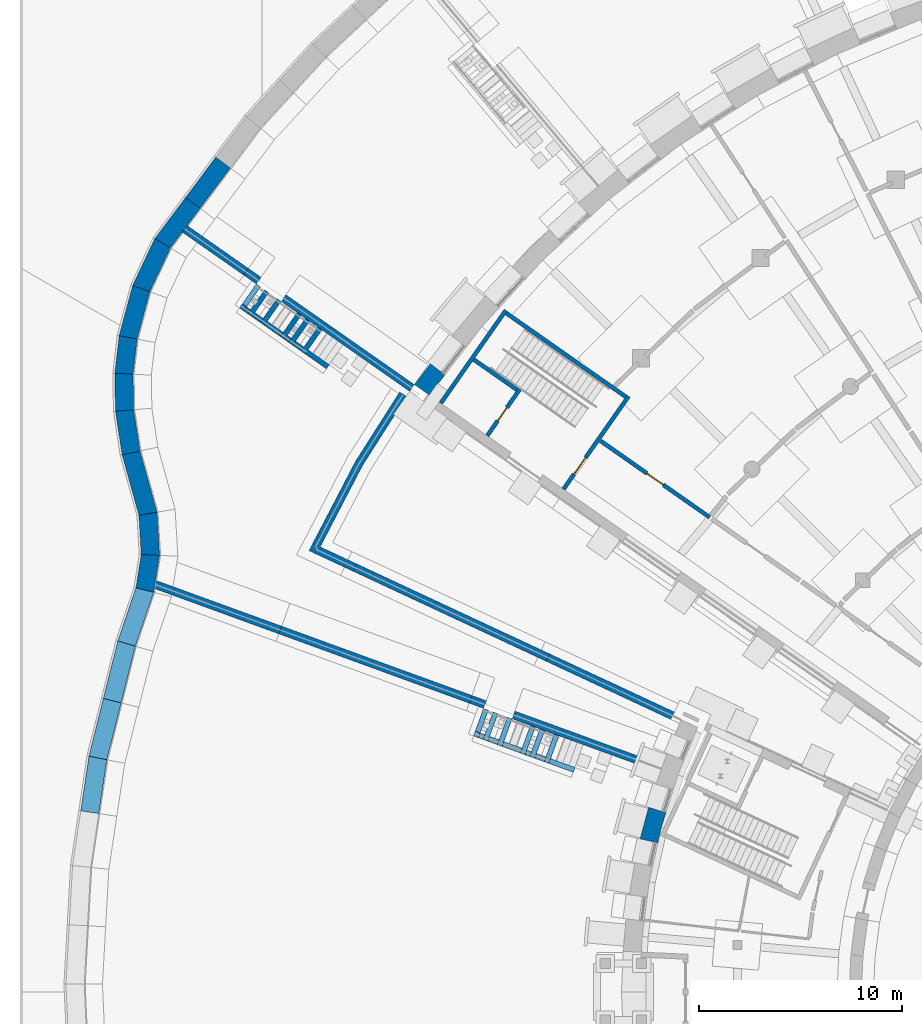
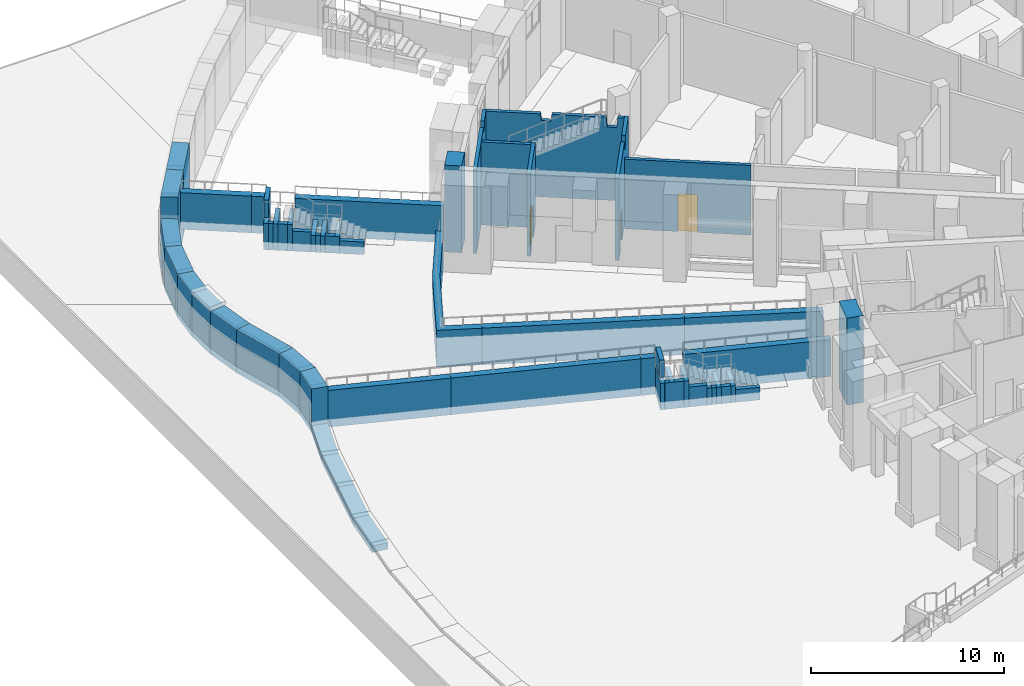
# One storey, part 43 of 65: 54 walls, 3 doors, 3 openings.
"""IFC4 building model written with IfcOpenShell, lengths in metres."""

from ifc_helpers import new_model, si_unit, direction, frame, frame_2d, origin, place, context, subcontext, project, spatial, polyline, rectangle, outline, extrude, material, layer, layer_set, type_object, element, fill, save


model = new_model("IFC4")

# Units and contexts
model_context = context("Model", 3, precision=1e-05, world=origin(), true_north=direction((0.0, 1.0)))
body_context = subcontext(model_context, "Body", "Model", "MODEL_VIEW")
ifc_project = project(units=[si_unit("LENGTHUNIT", "METRE"), si_unit("AREAUNIT", "SQUARE_METRE"), si_unit("VOLUMEUNIT", "CUBIC_METRE"), si_unit("PLANEANGLEUNIT", "RADIAN"), si_unit("MASSUNIT", "GRAM", prefix="KILO")], contexts=[model_context])

# Site, building, storey
site_placement = place(None, origin())
site = spatial("IfcSite", under=ifc_project, at=site_placement, CompositionType="ELEMENT")
building_placement = place(site_placement, origin())
building = spatial("IfcBuilding", under=site, at=building_placement, Name="Volute Hill Aquarium", CompositionType="ELEMENT")
storey_placement = place(building_placement, frame((0.0, 0.0, -5.5)))
storey = spatial("IfcBuildingStorey", under=building, at=storey_placement, Name="L00", CompositionType="ELEMENT", Elevation=-5.5)

# Wall, opening, door
ifc_material_1 = material(Name="Concrete C30/37", Category="concrete")
ifc_layer_1 = layer(ifc_material_1, 0.199951171875)
ifc_layer_set_1 = layer_set([ifc_layer_1], Name="Core wall 200 REI 60")
wall_type_1 = type_object("IfcWallType", Name="Core wall 200 REI 60", PredefinedType="SHEAR", material=ifc_layer_set_1)
wall_1_placement = place(storey_placement, frame((-35.10888671875, 24.82763671875, 0.0), z_axis=(0.0, 0.0, 1.0), x_axis=(0.573599855614, 0.819135645446, 0.0)))
wall_1 = element("IfcWall", 1, at=wall_1_placement, inside=storey, type_object=wall_type_1, Name="wc/S6-B/L00/in", PredefinedType="SHEAR", context=body_context, shape_type="SweptSolid", body=[
    extrude(outline(polyline([(0.0, 0.0), (5.60009765625, 0.0), (5.60009765625, 5.25), (3.853271484375, 5.25), (3.80322265625, 4.679931640625), (3.30322265625, 4.679931640625), (3.25341796875, 5.25), (0.0, 5.25), (0.0, 0.0)])), frame((0.0, 0.10009765625, 0.0), z_axis=(0.0, -1.0, 0.0), x_axis=(1.0, 0.0, 0.0)), (0.0, 0.0, 1.0), 0.199951171875),
])
opening_1_placement = place(wall_1_placement, frame((0.89990234375, 0.0, 0.0)))
opening_1 = element("IfcOpeningElement", 2, at=opening_1_placement, cuts=wall_1, Name="Opening D6.00.BS", PredefinedType="OPENING", context=body_context, shape_type="SweptSolid", body=[
    extrude(rectangle(XDim=1.0, YDim=2.10009765625, at=frame_2d((0.5, 1.050048828125))), frame((0.0, 0.10986328125, 0.0), z_axis=(0.0, -1.0, 0.0), x_axis=(1.0, 0.0, 0.0)), (0.0, 0.0, 1.0), 0.219970703125),
])
ifc_material_2 = material(Name="Timber, fire-rated", Category="wood")
door_type_1 = type_object("IfcDoorType", Name="Door 1000 x 2100 single EI1 30", OperationType="SINGLE_SWING_LEFT", PredefinedType="DOOR", material=ifc_material_2)
door_1_placement = place(opening_1_placement, origin())
door_1 = element("IfcDoor", 3, at=door_1_placement, inside=storey, type_object=door_type_1, Name="d/S6-B/L00/st", OperationType="SINGLE_SWING_RIGHT", OverallHeight=2.10009765625, OverallWidth=1.0, PredefinedType="DOOR", context=body_context, shape_type="SweptSolid", body=[
    extrude(rectangle(XDim=1.0, YDim=2.10009765625, at=frame_2d((0.5, 1.050048828125))), frame((0.0, 0.02490234375, 0.0), z_axis=(0.0, -1.0, 0.0), x_axis=(1.0, 0.0, 0.0)), (0.0, 0.0, 1.0), 0.050048828125),
])
fill(opening_1, door_1)

# Walls
wall_2_placement = place(storey_placement, frame((-32.0361328125, 29.390380859375, 0.0), z_axis=(0.0, 0.0, 1.0), x_axis=(-0.819161821637, 0.573562472597, 0.0)))
element("IfcWall", 4, at=wall_2_placement, inside=storey, type_object=wall_type_1, Name="wc/S6-B/L00/side", PredefinedType="SHEAR", context=body_context, shape_type="SweptSolid", body=[
    extrude(outline(polyline([(0.0, 0.0), (7.199951171875, 0.0), (7.199951171875, 5.25), (4.36767578125, 5.25), (4.317626953125, 4.830078125), (3.817626953125, 4.830078125), (3.767578125, 5.25), (0.942626953125, 5.25), (0.892578125, 4.6298828125), (0.392578125, 4.6298828125), (0.342529296875, 5.25), (0.0, 5.25), (0.0, 0.0)])), frame((0.0, 0.10009765625, 0.0), z_axis=(0.0, -1.0, 0.0), x_axis=(1.0, 0.0, 0.0)), (0.0, 0.0, 1.0), 0.199951171875),
])
wall_3_placement = place(storey_placement, frame((-41.17041015625, 29.072021484375, 0.0), z_axis=(0.0, 0.0, 1.0), x_axis=(0.573570601961, 0.819156129542, 0.0)))
element("IfcWall", 5, at=wall_3_placement, inside=storey, type_object=wall_type_1, Name="wc/S6-B/L00/out", PredefinedType="SHEAR", context=body_context, shape_type="SweptSolid", body=[
    extrude(outline(polyline([(0.0, 0.0), (5.599853515625, 0.0), (5.599853515625, 5.25), (4.51806640625, 5.25), (4.468017578125, 4.830078125), (3.968017578125, 4.830078125), (3.918212890625, 5.25), (0.0, 5.25), (0.0, 0.0)])), frame((0.0, 0.10009765625, 0.0), z_axis=(0.0, -1.0, 0.0), x_axis=(1.0, 0.0, 0.0)), (0.0, 0.0, 1.0), 0.199951171875),
])

# Wall, opening, door
ifc_material_3 = material(Name="Masonry blockwork", Category="masonry")
ifc_layer_2 = layer(ifc_material_3, 0.199951171875)
ifc_layer_set_2 = layer_set([ifc_layer_2], Name="Fire partition 200 EI 60")
wall_type_2 = type_object("IfcWallType", Name="Fire partition 200 EI 60", PredefinedType="PARTITIONING", material=ifc_layer_set_2)
wall_4_placement = place(storey_placement, frame((-33.281494140625, 27.21044921875, 0.0), z_axis=(0.0, 0.0, 1.0), x_axis=(0.819156902999, -0.573569497331, 0.0)))
wall_4 = element("IfcWall", 6, at=wall_4_placement, inside=storey, type_object=wall_type_2, Name="pw/S6/L00/007", PredefinedType="PARTITIONING", context=body_context, shape_type="SweptSolid", body=[
    extrude(rectangle(XDim=6.574951171875, YDim=0.199951171875, at=frame_2d((3.28759765625, 0.0))), origin(), (0.0, 0.0, 1.0), 4.409912109375),
])
opening_2_placement = place(wall_4_placement, frame((2.78759765625, 0.0, 0.0)))
opening_2 = element("IfcOpeningElement", 7, at=opening_2_placement, cuts=wall_4, Name="Opening D6.00.06", PredefinedType="OPENING", context=body_context, shape_type="SweptSolid", body=[
    extrude(rectangle(XDim=1.0, YDim=2.39990234375, at=frame_2d((0.5, 1.199951171875))), frame((0.0, 0.10986328125, 0.0), z_axis=(0.0, -1.0, 0.0), x_axis=(1.0, 0.0, 0.0)), (0.0, 0.0, 1.0), 0.219970703125),
])
ifc_material_4 = material(Name="Steel, fire-rated", Category="steel")
door_type_2 = type_object("IfcDoorType", Name="Door 1000 x 2400 laboratory EI1 30", OperationType="SINGLE_SWING_LEFT", PredefinedType="DOOR", material=ifc_material_4)
door_2_placement = place(opening_2_placement, origin())
door_2 = element("IfcDoor", 8, at=door_2_placement, inside=storey, type_object=door_type_2, Name="d/S6/L00/06", OperationType="SINGLE_SWING_RIGHT", OverallHeight=2.39990234375, OverallWidth=1.0, PredefinedType="DOOR", context=body_context, shape_type="SweptSolid", body=[
    extrude(rectangle(XDim=1.0, YDim=2.39990234375, at=frame_2d((0.5, 1.199951171875))), frame((0.0, 0.02490234375, 0.0), z_axis=(0.0, -1.0, 0.0), x_axis=(1.0, 0.0, 0.0)), (0.0, 0.0, 1.0), 0.050048828125),
])
fill(opening_2, door_2)

# Walls
ifc_material_5 = material(Name="Precast concrete C40/50", Category="concrete")
ifc_layer_3 = layer(ifc_material_5, 0.89990234375)
ifc_layer_set_3 = layer_set([ifc_layer_3], Name="Outer pier precast concrete C40/50 900")
wall_type_3 = type_object("IfcWallType", Name="Outer pier precast concrete C40/50 900", PredefinedType="NOTDEFINED", material=ifc_layer_set_3)
wall_5_placement = place(storey_placement, origin())
element("IfcWall", 9, at=wall_5_placement, inside=storey, type_object=wall_type_3, Name="Outer pier OWP S1 L00 3", PredefinedType="NOTDEFINED", context=body_context, shape_type="SweptSolid", body=[
    extrude(outline(polyline([(-30.049560546875, 8.84912109375), (-30.907958984375, 9.11962890625), (-31.326904296875, 7.555908203125), (-30.4482421875, 7.361083984375), (-30.281494140625, 8.114013671875), (-30.049560546875, 8.84912109375)])), origin(), (0.0, 0.0, 1.0), 5.5),
])
wall_6_placement = place(storey_placement, origin())
element("IfcWall", 10, at=wall_6_placement, inside=storey, type_object=wall_type_3, Name="Outer pier OWP S6 L00 11", PredefinedType="NOTDEFINED", context=body_context, shape_type="SweptSolid", body=[
    extrude(outline(polyline([(-40.96826171875, 30.469482421875), (-41.68212890625, 31.017578125), (-42.474365234375, 29.985107421875), (-41.736572265625, 29.46826171875), (-40.96826171875, 30.469482421875)])), origin(), (0.0, 0.0, 1.0), 5.5),
])
ifc_material_6 = material(Name="Concrete C30/37", Category="concrete")
ifc_layer_4 = layer(ifc_material_6, 0.39990234375)
ifc_layer_set_4 = layer_set([ifc_layer_4], Name="Retaining wall C30/37 400")
wall_type_4 = type_object("IfcWallType", Name="Retaining wall C30/37 400", PredefinedType="SOLIDWALL", material=ifc_layer_set_4)
wall_7_placement = place(storey_placement, frame((-30.30517578125, 11.030029296875, -0.5), z_axis=(0.0, 0.0, 1.0), x_axis=(-0.939682860451, 0.342046958435, 0.0)))
element("IfcWall", 11, at=wall_7_placement, inside=storey, type_object=wall_type_4, Name="rw/160/L00/0", PredefinedType="SOLIDWALL", context=body_context, shape_type="SweptSolid", body=[
    extrude(rectangle(XDim=7.739990234375, YDim=0.39990234375, at=frame_2d((3.8701171875, 0.0))), origin(), (0.0, 0.0, 1.0), 2.324951171875),
])
wall_8_placement = place(storey_placement, frame((-38.98779296875, 14.1904296875, -0.5), z_axis=(0.0, 0.0, 1.0), x_axis=(-0.939652650954, 0.342129939578, 0.0)))
element("IfcWall", 12, at=wall_8_placement, inside=storey, type_object=wall_type_4, Name="rw/160/L00/1", PredefinedType="SOLIDWALL", context=body_context, shape_type="SweptSolid", body=[
    extrude(rectangle(XDim=0.760009765625, YDim=0.39990234375, at=frame_2d((0.3798828125, 0.0))), origin(), (0.0, 0.0, 1.0), 2.324951171875),
])
wall_9_placement = place(storey_placement, frame((-39.701904296875, 14.450439453125, -0.5), z_axis=(0.0, 0.0, 1.0), x_axis=(-0.939694302413, 0.342015523058, 0.0)))
element("IfcWall", 13, at=wall_9_placement, inside=storey, type_object=wall_type_4, Name="rw/160/L00/2", PredefinedType="SOLIDWALL", context=body_context, shape_type="SweptSolid", body=[
    extrude(rectangle(XDim=10.0, YDim=0.39990234375, at=frame_2d((5.0, 0.0))), origin(), (0.0, 0.0, 1.0), 2.324951171875),
])
wall_10_placement = place(storey_placement, frame((0.0, 0.0, -0.5)))
element("IfcWall", 14, at=wall_10_placement, inside=storey, type_object=wall_type_4, Name="rw/160/L00/3", PredefinedType="SOLIDWALL", context=body_context, shape_type="SweptSolid", body=[
    extrude(outline(polyline([(-49.167236328125, 17.6826171875), (-49.030517578125, 18.05859375), (-55.25390625, 20.32373046875), (-55.318359375, 19.92138671875), (-49.167236328125, 17.6826171875)])), origin(), (0.0, 0.0, 1.0), 2.324951171875),
])
wall_11_placement = place(storey_placement, frame((-42.595947265625, 29.825927734375, 0.875), z_axis=(0.0, 0.0, 1.0), x_axis=(-0.819147443385, 0.573583007067, 0.0)))
element("IfcWall", 15, at=wall_11_placement, inside=storey, type_object=wall_type_4, Name="rw/145/L00/0", PredefinedType="SOLIDWALL", context=body_context, shape_type="SweptSolid", body=[
    extrude(rectangle(XDim=7.73974609375, YDim=0.39990234375, at=frame_2d((3.869873046875, 0.0))), origin(), (0.0, 0.0, 1.0), 2.324951171875),
])
wall_12_placement = place(storey_placement, frame((-50.164794921875, 35.125732421875, 0.875), z_axis=(0.0, 0.0, 1.0), x_axis=(-0.81908098896, 0.573677900503, 0.0)))
element("IfcWall", 16, at=wall_12_placement, inside=storey, type_object=wall_type_4, Name="rw/145/L00/1", PredefinedType="SOLIDWALL", context=body_context, shape_type="SweptSolid", body=[
    extrude(rectangle(XDim=0.760009765625, YDim=0.39990234375, at=frame_2d((0.3798828125, 0.0))), origin(), (0.0, 0.0, 1.0), 2.324951171875),
])
wall_13_placement = place(storey_placement, frame((0.0, 0.0, 0.875)))
element("IfcWall", 17, at=wall_13_placement, inside=storey, type_object=wall_type_4, Name="rw/145/L00/2", PredefinedType="SOLIDWALL", context=body_context, shape_type="SweptSolid", body=[
    extrude(outline(polyline([(-50.902099609375, 35.39794921875), (-50.672607421875, 35.7255859375), (-53.69091796875, 37.8388671875), (-53.930908203125, 37.5185546875), (-50.902099609375, 35.39794921875)])), origin(), (0.0, 0.0, 1.0), 2.324951171875),
])
wall_14_placement = place(storey_placement, frame((0.0, 0.0, -0.5)))
element("IfcWall", 18, at=wall_14_placement, inside=storey, type_object=wall_type_4, Name="rw/CFA10.1/L00/0", PredefinedType="SOLIDWALL", context=body_context, shape_type="SweptSolid", body=[
    extrude(outline(polyline([(-45.033203125, 26.0), (-42.8642578125, 29.404541015625), (-43.20166015625, 29.61962890625), (-45.380126953125, 26.2001953125), (-47.67578125, 21.790283203125), (-45.517822265625, 20.783935546875), (-45.348876953125, 21.146484375), (-47.1279296875, 21.97607421875), (-45.033203125, 26.0)])), origin(), (0.0, 0.0, 1.0), 2.324951171875),
])
wall_15_placement = place(storey_placement, frame((0.0, 0.0, -0.5)))
element("IfcWall", 19, at=wall_15_placement, inside=storey, type_object=wall_type_4, Name="rw/CFA10.2/L00/0", PredefinedType="SOLIDWALL", context=body_context, shape_type="SweptSolid", body=[
    extrude(outline(polyline([(-35.7998046875, 16.693603515625), (-45.348876953125, 21.146484375), (-45.517822265625, 20.783935546875), (-35.96875, 16.3310546875), (-35.7998046875, 16.693603515625)])), origin(), (0.0, 0.0, 1.0), 2.324951171875),
])
wall_16_placement = place(storey_placement, frame((0.0, 0.0, -0.5)))
element("IfcWall", 20, at=wall_16_placement, inside=storey, type_object=wall_type_4, Name="rw/CFA10.3/L00/0", PredefinedType="SOLIDWALL", context=body_context, shape_type="SweptSolid", body=[
    extrude(outline(polyline([(-29.273681640625, 13.650390625), (-35.7998046875, 16.693603515625), (-35.96875, 16.3310546875), (-29.427001953125, 13.28076171875), (-29.273681640625, 13.650390625)])), origin(), (0.0, 0.0, 1.0), 2.324951171875),
])

# Wall, opening, door
ifc_material_7 = material(Name="Masonry blockwork", Category="masonry")
ifc_layer_5 = layer(ifc_material_7, 0.199951171875)
ifc_layer_set_5 = layer_set([ifc_layer_5], Name="Riser wall 200 EI 60")
wall_type_5 = type_object("IfcWallType", Name="Riser wall 200 EI 60", PredefinedType="SOLIDWALL", material=ifc_layer_set_5)
wall_17_placement = place(storey_placement, frame((-38.876953125, 27.466064453125, 0.0), z_axis=(0.0, 0.0, 1.0), x_axis=(0.573550118428, 0.819170471667, 0.0)))
wall_17 = element("IfcWall", 21, at=wall_17_placement, inside=storey, type_object=wall_type_5, Name="wc/S6-B/L00/front", PredefinedType="SOLIDWALL", context=body_context, shape_type="SweptSolid", body=[
    extrude(rectangle(XDim=2.800048828125, YDim=0.199951171875, at=frame_2d((1.39990234375, 0.0))), origin(), (0.0, 0.0, 1.0), 5.25),
])
opening_3_placement = place(wall_17_placement, frame((0.89990234375, 0.0, 0.0)))
opening_3 = element("IfcOpeningElement", 22, at=opening_3_placement, cuts=wall_17, Name="Opening D6.00.BR", PredefinedType="OPENING", context=body_context, shape_type="SweptSolid", body=[
    extrude(rectangle(XDim=0.800048828125, YDim=2.10009765625, at=frame_2d((0.39990234375, 1.050048828125))), frame((0.0, 0.10986328125, 0.0), z_axis=(0.0, -1.0, 0.0), x_axis=(1.0, 0.0, 0.0)), (0.0, 0.0, 1.0), 0.219970703125),
])
ifc_material_8 = material(Name="Steel, fire-rated", Category="steel")
door_type_3 = type_object("IfcDoorType", Name="Door 800 x 2100 riser EI1 30", OperationType="SINGLE_SWING_LEFT", PredefinedType="DOOR", material=ifc_material_8)
door_3_placement = place(opening_3_placement, origin())
door_3 = element("IfcDoor", 23, at=door_3_placement, inside=storey, type_object=door_type_3, Name="d/S6-B/L00/rs", OperationType="SINGLE_SWING_LEFT", OverallHeight=2.10009765625, OverallWidth=0.800048828125, PredefinedType="DOOR", context=body_context, shape_type="SweptSolid", body=[
    extrude(rectangle(XDim=0.800048828125, YDim=2.10009765625, at=frame_2d((0.39990234375, 1.050048828125))), frame((0.0, 0.02490234375, 0.0), z_axis=(0.0, -1.0, 0.0), x_axis=(1.0, 0.0, 0.0)), (0.0, 0.0, 1.0), 0.050048828125),
])
fill(opening_3, door_3)

# Walls
wall_18_placement = place(storey_placement, frame((-37.41015625, 29.735107421875, 0.0), z_axis=(0.0, 0.0, 1.0), x_axis=(-0.819178980414, 0.573537965655, 0.0)))
element("IfcWall", 24, at=wall_18_placement, inside=storey, type_object=wall_type_5, Name="wc/S6-B/L00/shaft-side", PredefinedType="SOLIDWALL", context=body_context, shape_type="SweptSolid", body=[
    extrude(rectangle(XDim=2.60009765625, YDim=0.199951171875, at=frame_2d((1.300048828125, 0.0))), origin(), (0.0, 0.0, 1.0), 5.25),
])
ifc_material_9 = material(Name="Concrete C30/37", Category="concrete")
ifc_layer_6 = layer(ifc_material_9, 0.89990234375)
ifc_layer_set_6 = layer_set([ifc_layer_6], Name="Site edge retaining wall C30/37 900")
wall_type_6 = type_object("IfcWallType", Name="Site edge retaining wall C30/37 900", PredefinedType="SOLIDWALL", material=ifc_layer_set_6)
wall_19_placement = place(storey_placement, frame((0.0, 0.0, -0.5)))
element("IfcWall", 25, at=wall_19_placement, inside=storey, type_object=wall_type_6, Name="rw/E84FA2/L00/1", PredefinedType="SOLIDWALL", context=body_context, shape_type="SweptSolid", body=[
    extrude(outline(polyline([(-52.280029296875, 41.223388671875), (-53.7724609375, 39.2314453125), (-53.052001953125, 38.69189453125), (-51.559814453125, 40.683837890625), (-52.280029296875, 41.223388671875)])), origin(), (0.0, 0.0, 1.0), 4.10009765625),
])
wall_20_placement = place(storey_placement, frame((0.0, 0.0, -0.5)))
element("IfcWall", 26, at=wall_20_placement, inside=storey, type_object=wall_type_6, Name="rw/E84FA2/L00/2", PredefinedType="SOLIDWALL", context=body_context, shape_type="SweptSolid", body=[
    extrude(outline(polyline([(-53.7724609375, 39.2314453125), (-55.2919921875, 37.202880859375), (-54.51708984375, 36.736083984375), (-54.51708984375, 36.736083984375), (-53.052001953125, 38.69189453125), (-53.7724609375, 39.2314453125)])), origin(), (0.0, 0.0, 1.0), 4.10009765625),
])
wall_21_placement = place(storey_placement, frame((0.0, 0.0, -0.5)))
element("IfcWall", 27, at=wall_21_placement, inside=storey, type_object=wall_type_6, Name="rw/E85FA1/L00/0", PredefinedType="SOLIDWALL", context=body_context, shape_type="SweptSolid", body=[
    extrude(outline(polyline([(-56.385009765625, 34.887451171875), (-56.385009765625, 34.887451171875), (-55.53662109375, 34.575927734375), (-55.53662109375, 34.575927734375), (-54.51708984375, 36.736083984375), (-55.2919921875, 37.202880859375), (-55.2919921875, 37.202880859375), (-56.385009765625, 34.887451171875)])), origin(), (0.0, 0.0, 1.0), 2.72509765625),
])
wall_22_placement = place(storey_placement, frame((0.0, 0.0, -0.5)))
element("IfcWall", 28, at=wall_22_placement, inside=storey, type_object=wall_type_6, Name="rw/E86FA1/L00/0", PredefinedType="SOLIDWALL", context=body_context, shape_type="SweptSolid", body=[
    extrude(outline(polyline([(-56.385009765625, 34.887451171875), (-57.051513671875, 32.40673828125), (-56.165283203125, 32.2373046875), (-56.165283203125, 32.2373046875), (-55.53662109375, 34.575927734375), (-56.385009765625, 34.887451171875)])), origin(), (0.0, 0.0, 1.0), 2.72509765625),
])
wall_23_placement = place(storey_placement, frame((0.0, 0.0, -0.5)))
element("IfcWall", 29, at=wall_23_placement, inside=storey, type_object=wall_type_6, Name="rw/E87FA1/L00/0", PredefinedType="SOLIDWALL", context=body_context, shape_type="SweptSolid", body=[
    extrude(outline(polyline([(-57.267333984375, 30.546630859375), (-57.267333984375, 30.546630859375), (-56.366455078125, 30.50244140625), (-56.165283203125, 32.2373046875), (-57.051513671875, 32.40673828125), (-57.051513671875, 32.40673828125), (-57.267333984375, 30.546630859375)])), origin(), (0.0, 0.0, 1.0), 2.72509765625),
])
wall_24_placement = place(storey_placement, frame((0.0, 0.0, -0.5)))
element("IfcWall", 30, at=wall_24_placement, inside=storey, type_object=wall_type_6, Name="rw/E88FA1/L00/0", PredefinedType="SOLIDWALL", context=body_context, shape_type="SweptSolid", body=[
    extrude(outline(polyline([(-57.23486328125, 28.6728515625), (-57.23486328125, 28.6728515625), (-56.336181640625, 28.749267578125), (-56.336181640625, 28.749267578125), (-56.366455078125, 30.50244140625), (-57.267333984375, 30.546630859375), (-57.23486328125, 28.6728515625)])), origin(), (0.0, 0.0, 1.0), 2.72509765625),
])
wall_25_placement = place(storey_placement, frame((0.0, 0.0, -0.5)))
element("IfcWall", 31, at=wall_25_placement, inside=storey, type_object=wall_type_6, Name="rw/E89FA1/L00/0", PredefinedType="SOLIDWALL", context=body_context, shape_type="SweptSolid", body=[
    extrude(outline(polyline([(-57.23486328125, 28.6728515625), (-56.904296875, 26.524169921875), (-56.02294921875, 26.71337890625), (-56.336181640625, 28.749267578125), (-57.23486328125, 28.6728515625)])), origin(), (0.0, 0.0, 1.0), 2.72509765625),
])
wall_26_placement = place(storey_placement, frame((0.0, 0.0, -0.5)))
element("IfcWall", 32, at=wall_26_placement, inside=storey, type_object=wall_type_6, Name="rw/E90FA1/L00/0", PredefinedType="SOLIDWALL", context=body_context, shape_type="SweptSolid", body=[
    extrude(outline(polyline([(-56.077880859375, 23.541259765625), (-56.077880859375, 23.541259765625), (-55.185302734375, 23.690185546875), (-56.02294921875, 26.71337890625), (-56.02294921875, 26.71337890625), (-56.904296875, 26.524169921875), (-56.904296875, 26.524169921875), (-56.077880859375, 23.541259765625)])), origin(), (0.0, 0.0, 1.0), 2.72509765625),
])
wall_27_placement = place(storey_placement, frame((0.0, 0.0, -0.5)))
element("IfcWall", 33, at=wall_27_placement, inside=storey, type_object=wall_type_6, Name="rw/E91FA1/L00/0", PredefinedType="SOLIDWALL", context=body_context, shape_type="SweptSolid", body=[
    extrude(outline(polyline([(-56.077880859375, 23.541259765625), (-55.961181640625, 21.601318359375), (-55.056884765625, 21.556640625), (-55.056884765625, 21.556640625), (-55.185302734375, 23.690185546875), (-55.185302734375, 23.690185546875), (-56.077880859375, 23.541259765625)])), origin(), (0.0, 0.0, 1.0), 2.72509765625),
])
wall_28_placement = place(storey_placement, frame((0.0, 0.0, -0.5)))
element("IfcWall", 34, at=wall_28_placement, inside=storey, type_object=wall_type_6, Name="rw/E92FA1/L00/0", PredefinedType="SOLIDWALL", context=body_context, shape_type="SweptSolid", body=[
    extrude(outline(polyline([(-56.224853515625, 19.9521484375), (-56.224853515625, 19.9521484375), (-55.34814453125, 19.734375), (-55.056884765625, 21.556640625), (-55.961181640625, 21.601318359375), (-55.961181640625, 21.601318359375), (-56.224853515625, 19.9521484375)])), origin(), (0.0, 0.0, 1.0), 2.72509765625),
])
wall_29_placement = place(storey_placement, frame((0.0, 0.0, -0.5)))
element("IfcWall", 35, at=wall_29_placement, inside=storey, type_object=wall_type_6, Name="rw/E93LC/L00/0", PredefinedType="SOLIDWALL", context=body_context, shape_type="SweptSolid", body=[
    extrude(outline(polyline([(-56.224853515625, 19.9521484375), (-57.119140625, 17.32958984375), (-56.255126953125, 17.074462890625), (-55.34814453125, 19.734375), (-55.34814453125, 19.734375), (-56.224853515625, 19.9521484375)])), origin(), (0.0, 0.0, 1.0), 0.39990234375),
])
wall_30_placement = place(storey_placement, frame((0.0, 0.0, -0.5)))
element("IfcWall", 36, at=wall_30_placement, inside=storey, type_object=wall_type_6, Name="rw/E94LC/L00/0", PredefinedType="SOLIDWALL", context=body_context, shape_type="SweptSolid", body=[
    extrude(outline(polyline([(-57.119140625, 17.32958984375), (-57.830810546875, 14.48876953125), (-56.957763671875, 14.27001953125), (-56.255126953125, 17.074462890625), (-56.255126953125, 17.074462890625), (-57.119140625, 17.32958984375), (-57.119140625, 17.32958984375)])), origin(), (0.0, 0.0, 1.0), 0.39990234375),
])
wall_31_placement = place(storey_placement, frame((0.0, 0.0, -0.5)))
element("IfcWall", 37, at=wall_31_placement, inside=storey, type_object=wall_type_6, Name="rw/E94LC/L00/1", PredefinedType="SOLIDWALL", context=body_context, shape_type="SweptSolid", body=[
    extrude(outline(polyline([(-58.54296875, 11.64501953125), (-58.54296875, 11.64501953125), (-57.659423828125, 11.46826171875), (-57.659423828125, 11.46826171875), (-56.957763671875, 14.27001953125), (-57.830810546875, 14.48876953125), (-58.54296875, 11.64501953125)])), origin(), (0.0, 0.0, 1.0), 0.39990234375),
])
wall_32_placement = place(storey_placement, frame((0.0, 0.0, -0.5)))
element("IfcWall", 38, at=wall_32_placement, inside=storey, type_object=wall_type_6, Name="rw/E95LC/L00/0", PredefinedType="SOLIDWALL", context=body_context, shape_type="SweptSolid", body=[
    extrude(outline(polyline([(-58.54296875, 11.64501953125), (-58.948974609375, 8.941650390625), (-58.058837890625, 8.80810546875), (-57.659423828125, 11.46826171875), (-58.54296875, 11.64501953125)])), origin(), (0.0, 0.0, 1.0), 0.39990234375),
])
ifc_material_10 = material(Name="Concrete C30/37", Category="concrete")
ifc_layer_7 = layer(ifc_material_10, 0.25)
ifc_layer_set_7 = layer_set([ifc_layer_7], Name="Stair head parapet C30/37 250")
wall_type_7 = type_object("IfcWallType", Name="Stair head parapet C30/37 250", PredefinedType="SOLIDWALL", material=ifc_layer_set_7)
wall_33_placement = place(storey_placement, frame((-38.938720703125, 13.959716796875, 1.3740234375), z_axis=(0.0, 0.0, 1.0), x_axis=(-0.341988074343, -0.939704292321, 0.0)))
element("IfcWall", 39, at=wall_33_placement, inside=storey, type_object=wall_type_7, Name="sw/ST160/L00/g", PredefinedType="SOLIDWALL", context=body_context, shape_type="SweptSolid", body=[
    extrude(rectangle(XDim=1.199951171875, YDim=0.25, at=frame_2d((0.60009765625, 0.0))), origin(), (0.0, 0.0, 1.0), 1.10107421875),
])
wall_34_placement = place(storey_placement, frame((-50.17724609375, 34.890380859375, 2.7490234375), z_axis=(0.0, 0.0, 1.0), x_axis=(-0.573475997466, -0.819222363177, 0.0)))
element("IfcWall", 40, at=wall_34_placement, inside=storey, type_object=wall_type_7, Name="sw/ST145/L00/g", PredefinedType="SOLIDWALL", context=body_context, shape_type="SweptSolid", body=[
    extrude(rectangle(XDim=1.2001953125, YDim=0.25, at=frame_2d((0.60009765625, 0.0))), origin(), (0.0, 0.0, 1.0), 1.10107421875),
])
ifc_material_11 = material(Name="Concrete C30/37", Category="concrete")
ifc_layer_8 = layer(ifc_material_11, 0.25)
ifc_layer_set_8 = layer_set([ifc_layer_8], Name="Stair string wall C30/37 250")
wall_type_8 = type_object("IfcWallType", Name="Stair string wall C30/37 250", PredefinedType="SOLIDWALL", material=ifc_layer_set_8)
wall_35_placement = place(storey_placement, frame((-34.58544921875, 10.965087890625, -0.5), z_axis=(0.0, 0.0, 1.0), x_axis=(-0.939626232349, 0.342202489004, 0.0)))
element("IfcWall", 41, at=wall_35_placement, inside=storey, type_object=wall_type_8, Name="sw/ST160/L00/1", PredefinedType="SOLIDWALL", context=body_context, shape_type="SweptSolid", body=[
    extrude(rectangle(XDim=1.280029296875, YDim=0.25, at=frame_2d((0.64013671875, 0.0))), origin(), (0.0, 0.0, 1.0), 0.800048828125),
])
wall_36_placement = place(storey_placement, frame((-35.7880859375, 11.403076171875, -0.5), z_axis=(0.0, 0.0, 1.0), x_axis=(-0.9397221254, 0.341939069183, 0.0)))
element("IfcWall", 42, at=wall_36_placement, inside=storey, type_object=wall_type_8, Name="sw/ST160/L00/2", PredefinedType="SOLIDWALL", context=body_context, shape_type="SweptSolid", body=[
    extrude(rectangle(XDim=1.5, YDim=0.25, at=frame_2d((0.75, 0.0))), origin(), (0.0, 0.0, 1.0), 1.06494140625),
])
wall_37_placement = place(storey_placement, frame((-37.19775390625, 11.916015625, -0.5), z_axis=(0.0, 0.0, 1.0), x_axis=(-0.939681996159, 0.342049332837, 0.0)))
element("IfcWall", 43, at=wall_37_placement, inside=storey, type_object=wall_type_8, Name="sw/ST160/L00/3", PredefinedType="SOLIDWALL", context=body_context, shape_type="SweptSolid", body=[
    extrude(rectangle(XDim=0.9599609375, YDim=0.25, at=frame_2d((0.47998046875, 0.0))), origin(), (0.0, 0.0, 1.0), 1.263916015625),
])
wall_38_placement = place(storey_placement, frame((-38.099853515625, 12.244384765625, -0.5), z_axis=(0.0, 0.0, 1.0), x_axis=(-0.9397221254, 0.341939069183, 0.0)))
element("IfcWall", 44, at=wall_38_placement, inside=storey, type_object=wall_type_8, Name="sw/ST160/L00/4", PredefinedType="SOLIDWALL", context=body_context, shape_type="SweptSolid", body=[
    extrude(rectangle(XDim=1.5, YDim=0.25, at=frame_2d((0.75, 0.0))), origin(), (0.0, 0.0, 1.0), 1.676025390625),
])
for number, where, z_axis, x_axis, name in (
    (45, (-35.452392578125, 12.69091796875, -0.5), (0.0, 0.0, 1.0), (-0.342121553668, -0.939655704243, 0.0), "sw/ST160/L00/xa"),
    (46, (-36.627197265625, 13.118408203125, -0.5), (0.0, 0.0, 1.0), (-0.341972880786, -0.939709821598, 0.0), "sw/ST160/L00/xb"),
):
    element("IfcWall", number, at=place(storey_placement, frame(where, z_axis=z_axis, x_axis=x_axis)), inside=storey, type_object=wall_type_8, Name=name, PredefinedType="SOLIDWALL", context=body_context, shape_type="SweptSolid", body=[
        extrude(rectangle(XDim=1.449951171875, YDim=0.25, at=frame_2d((0.72509765625, 0.0))), origin(), (0.0, 0.0, 1.0), 1.06494140625),
    ])
for number, where, z_axis, x_axis, name in (
    (47, (-37.76416015625, 13.5322265625, -0.5), (0.0, 0.0, 1.0), (-0.341972880786, -0.939709821598, 0.0), "sw/ST160/L00/xc"),
    (48, (-38.938720703125, 13.959716796875, -0.5), (0.0, 0.0, 1.0), (-0.342121553668, -0.939655704243, 0.0), "sw/ST160/L00/xd"),
):
    element("IfcWall", number, at=place(storey_placement, frame(where, z_axis=z_axis, x_axis=x_axis)), inside=storey, type_object=wall_type_8, Name=name, PredefinedType="SOLIDWALL", context=body_context, shape_type="SweptSolid", body=[
        extrude(rectangle(XDim=1.449951171875, YDim=0.25, at=frame_2d((0.72509765625, 0.0))), origin(), (0.0, 0.0, 1.0), 1.676025390625),
    ])
wall_39_placement = place(storey_placement, frame((-36.1572265625, 12.947265625, -0.5), z_axis=(0.0, 0.0, 1.0), x_axis=(-0.342121553668, -0.939655704243, 0.0)))
element("IfcWall", 49, at=wall_39_placement, inside=storey, type_object=wall_type_8, Name="sw/ST160/L00/xe", PredefinedType="SOLIDWALL", context=body_context, shape_type="SweptSolid", body=[
    extrude(rectangle(XDim=1.449951171875, YDim=0.25, at=frame_2d((0.72509765625, 0.0))), origin(), (0.0, 0.0, 1.0), 1.06494140625),
])
wall_40_placement = place(storey_placement, frame((-38.468994140625, 13.788818359375, -0.5), z_axis=(0.0, 0.0, 1.0), x_axis=(-0.341972880786, -0.939709821598, 0.0)))
element("IfcWall", 50, at=wall_40_placement, inside=storey, type_object=wall_type_8, Name="sw/ST160/L00/xf", PredefinedType="SOLIDWALL", context=body_context, shape_type="SweptSolid", body=[
    extrude(rectangle(XDim=1.449951171875, YDim=0.25, at=frame_2d((0.72509765625, 0.0))), origin(), (0.0, 0.0, 1.0), 1.676025390625),
])
wall_41_placement = place(storey_placement, frame((-46.747314453125, 30.87109375, 0.875), z_axis=(0.0, 0.0, 1.0), x_axis=(-0.819124363442, 0.573615966667, 0.0)))
element("IfcWall", 51, at=wall_41_placement, inside=storey, type_object=wall_type_8, Name="sw/ST145/L00/1", PredefinedType="SOLIDWALL", context=body_context, shape_type="SweptSolid", body=[
    extrude(rectangle(XDim=1.27978515625, YDim=0.25, at=frame_2d((0.639892578125, 0.0))), origin(), (0.0, 0.0, 1.0), 0.800048828125),
])
wall_42_placement = place(storey_placement, frame((-47.795654296875, 31.605224609375, 0.875), z_axis=(0.0, 0.0, 1.0), x_axis=(-0.819163097304, 0.573560650686, 0.0)))
element("IfcWall", 52, at=wall_42_placement, inside=storey, type_object=wall_type_8, Name="sw/ST145/L00/2", PredefinedType="SOLIDWALL", context=body_context, shape_type="SweptSolid", body=[
    extrude(rectangle(XDim=1.5, YDim=0.25, at=frame_2d((0.75, 0.0))), origin(), (0.0, 0.0, 1.0), 1.06494140625),
])
wall_43_placement = place(storey_placement, frame((-49.0244140625, 32.465576171875, 0.875), z_axis=(0.0, 0.0, 1.0), x_axis=(-0.819196073788, 0.573513550572, 0.0)))
element("IfcWall", 53, at=wall_43_placement, inside=storey, type_object=wall_type_8, Name="sw/ST145/L00/3", PredefinedType="SOLIDWALL", context=body_context, shape_type="SweptSolid", body=[
    extrude(rectangle(XDim=0.9599609375, YDim=0.25, at=frame_2d((0.47998046875, 0.0))), origin(), (0.0, 0.0, 1.0), 1.263916015625),
])
wall_44_placement = place(storey_placement, frame((-49.810791015625, 33.01611328125, 0.875), z_axis=(0.0, 0.0, 1.0), x_axis=(-0.819086626796, 0.573669850876, 0.0)))
element("IfcWall", 54, at=wall_44_placement, inside=storey, type_object=wall_type_8, Name="sw/ST145/L00/4", PredefinedType="SOLIDWALL", context=body_context, shape_type="SweptSolid", body=[
    extrude(rectangle(XDim=1.500244140625, YDim=0.25, at=frame_2d((0.75, 0.0))), origin(), (0.0, 0.0, 1.0), 1.676025390625),
])
wall_45_placement = place(storey_placement, frame((-47.13818359375, 32.76220703125, 0.875), z_axis=(0.0, 0.0, 1.0), x_axis=(-0.573597967184, -0.819136967816, 0.0)))
element("IfcWall", 55, at=wall_45_placement, inside=storey, type_object=wall_type_8, Name="sw/ST145/L00/xa", PredefinedType="SOLIDWALL", context=body_context, shape_type="SweptSolid", body=[
    extrude(rectangle(XDim=1.44970703125, YDim=0.25, at=frame_2d((0.724853515625, 0.0))), origin(), (0.0, 0.0, 1.0), 1.06494140625),
])
wall_46_placement = place(storey_placement, frame((-48.162109375, 33.479248046875, 0.875), z_axis=(0.0, 0.0, 1.0), x_axis=(-0.573631830683, -0.819113253969, 0.0)))
element("IfcWall", 56, at=wall_46_placement, inside=storey, type_object=wall_type_8, Name="sw/ST145/L00/xb", PredefinedType="SOLIDWALL", context=body_context, shape_type="SweptSolid", body=[
    extrude(rectangle(XDim=1.449951171875, YDim=0.25, at=frame_2d((0.72509765625, 0.0))), origin(), (0.0, 0.0, 1.0), 1.06494140625),
])
wall_47_placement = place(storey_placement, frame((-49.1533203125, 34.17333984375, 0.875), z_axis=(0.0, 0.0, 1.0), x_axis=(-0.573518847987, -0.819192365079, 0.0)))
element("IfcWall", 57, at=wall_47_placement, inside=storey, type_object=wall_type_8, Name="sw/ST145/L00/xc", PredefinedType="SOLIDWALL", context=body_context, shape_type="SweptSolid", body=[
    extrude(rectangle(XDim=1.449951171875, YDim=0.25, at=frame_2d((0.72509765625, 0.0))), origin(), (0.0, 0.0, 1.0), 1.676025390625),
])
wall_48_placement = place(storey_placement, frame((-50.17724609375, 34.890380859375, 0.875), z_axis=(0.0, 0.0, 1.0), x_axis=(-0.573439745267, -0.819247739422, 0.0)))
element("IfcWall", 58, at=wall_48_placement, inside=storey, type_object=wall_type_8, Name="sw/ST145/L00/xd", PredefinedType="SOLIDWALL", context=body_context, shape_type="SweptSolid", body=[
    extrude(rectangle(XDim=1.4501953125, YDim=0.25, at=frame_2d((0.72509765625, 0.0))), origin(), (0.0, 0.0, 1.0), 1.676025390625),
])
wall_49_placement = place(storey_placement, frame((-47.75244140625, 33.1923828125, 0.875), z_axis=(0.0, 0.0, 1.0), x_axis=(-0.573631830683, -0.819113253969, 0.0)))
element("IfcWall", 59, at=wall_49_placement, inside=storey, type_object=wall_type_8, Name="sw/ST145/L00/xe", PredefinedType="SOLIDWALL", context=body_context, shape_type="SweptSolid", body=[
    extrude(rectangle(XDim=1.449951171875, YDim=0.25, at=frame_2d((0.72509765625, 0.0))), origin(), (0.0, 0.0, 1.0), 1.06494140625),
])
wall_50_placement = place(storey_placement, frame((-49.767578125, 34.603515625, 0.875), z_axis=(0.0, 0.0, 1.0), x_axis=(-0.573631830683, -0.819113253969, 0.0)))
element("IfcWall", 60, at=wall_50_placement, inside=storey, type_object=wall_type_8, Name="sw/ST145/L00/xf", PredefinedType="SOLIDWALL", context=body_context, shape_type="SweptSolid", body=[
    extrude(rectangle(XDim=1.449951171875, YDim=0.25, at=frame_2d((0.72509765625, 0.0))), origin(), (0.0, 0.0, 1.0), 1.676025390625),
])

save(model, "model.ifc")
